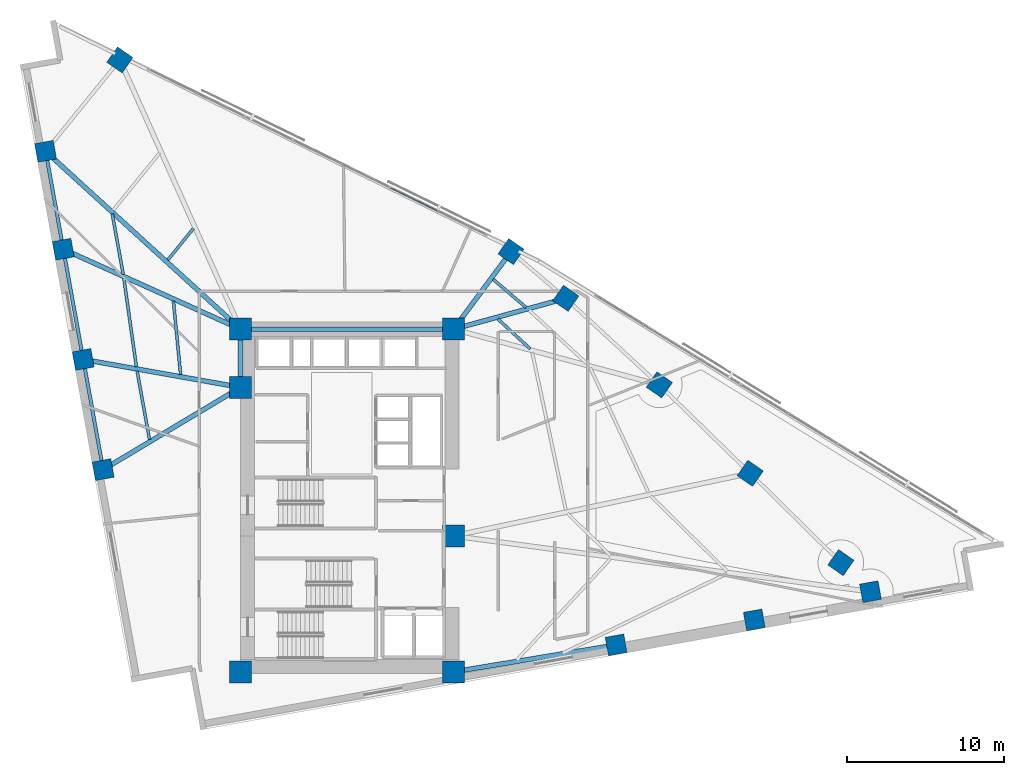
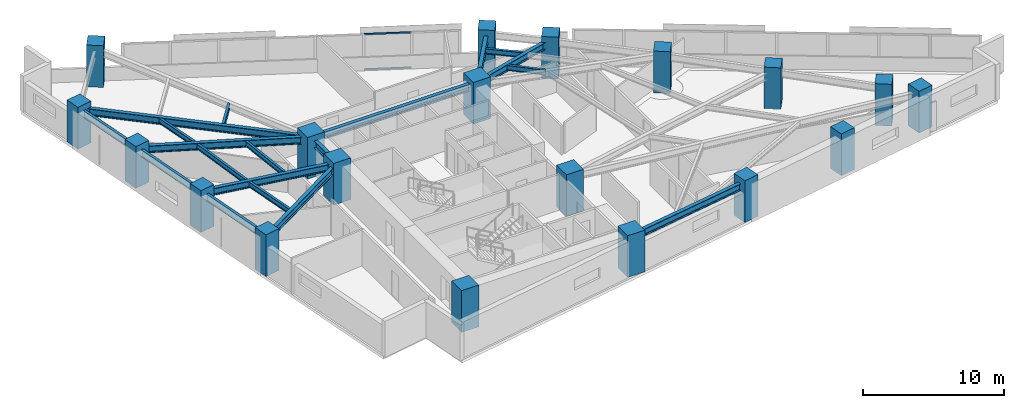
# One storey, part 1 of 20: 19 beams, 19 columns, 2 members, 1 element without a shape of its own.
"""IFC4 building model written with IfcOpenShell, lengths in metres."""

from ifc_helpers import new_model, si_unit, direction, frame, origin, origin_2d, place, context, subcontext, project, spatial, rectangle, hollow_rectangle, i_section, extrude, material, material_profile, profile_set, type_object, element, aggregate, save


model = new_model("IFC4")

# Units and contexts
model_context = context("Model", 3, precision=1e-05, world=origin(), true_north=direction((0.0, 1.0)))
body_context = subcontext(model_context, "Body", "Model", "MODEL_VIEW")
ifc_project = project(units=[si_unit("LENGTHUNIT", "METRE"), si_unit("AREAUNIT", "SQUARE_METRE"), si_unit("VOLUMEUNIT", "CUBIC_METRE"), si_unit("PLANEANGLEUNIT", "RADIAN"), si_unit("MASSUNIT", "GRAM", prefix="KILO")], contexts=[model_context])

# Site, building, storey
site_placement = place(None, origin())
site = spatial("IfcSite", under=ifc_project, at=site_placement, CompositionType="ELEMENT")
building_placement = place(site_placement, origin())
building = spatial("IfcBuilding", under=site, at=building_placement, Name="Narakoshi Arena Tower", CompositionType="ELEMENT")
storey_placement = place(building_placement, frame((0.0, 0.0, 124.5)))
storey = spatial("IfcBuildingStorey", under=building, at=storey_placement, Name="L33", CompositionType="ELEMENT", Elevation=124.5)

# Columns
ifc_material_1 = material(Name="Concrete C60/75", Category="concrete")
ifc_material_profile_1 = material_profile(ifc_material_1, rectangle(XDim=1.199951171875, YDim=1.199951171875, at=origin_2d()), Name="RC1200x1200")
ifc_profile_set_1 = profile_set([ifc_material_profile_1], Name="Concrete C60/75")
column_type_1 = type_object("IfcColumnType", Name="COL-RC1200", PredefinedType="COLUMN", material=ifc_profile_set_1)
for number, where, z_axis, x_axis, name in (
    (1, (95.89013671875, 36.411865234375, 0.0), (0.0, 0.0, 1.0), (0.984040697646, 0.177943545474, 0.0), "L33 Tower Perimeter Column TC02"),
    (2, (104.681396484375, 38.00146484375, 0.0), (0.0, 0.0, 1.0), (0.984040697646, 0.177943545474, 0.0), "L33 Tower Perimeter Column TC03"),
    (3, (112.0703125, 39.7978515625, 0.0), (0.0, 0.0, 1.0), (0.984040697646, 0.177943545474, 0.0), "L33 Tower Perimeter Column TC04"),
    (4, (110.189208984375, 41.650146484375, 0.0), (0.0, 0.0, 1.0), (0.569996762596, 0.821646937942, 0.0), "L33 Tower Perimeter Column TC05"),
    (5, (104.42041015625, 47.33056640625, 0.0), (0.0, 0.0, 1.0), (0.569996762596, 0.821646937942, 0.0), "L33 Tower Perimeter Column TC06"),
    (6, (98.641357421875, 52.95849609375, 0.0), (0.0, 0.0, 1.0), (0.569996762596, 0.821646937942, 0.0), "L33 Tower Perimeter Column TC07"),
    (7, (92.68994140625, 58.462890625, 0.0), (0.0, 0.0, 1.0), (0.569996762596, 0.821646937942, 0.0), "L33 Tower Perimeter Column TC08"),
    (8, (89.206787109375, 61.437744140625, 0.0), (0.0, 0.0, 1.0), (0.569996762596, 0.821646937942, 0.0), "L33 Tower Perimeter Column TC09"),
    (9, (64.31787109375, 73.633056640625, 0.0), (0.0, 0.0, 1.0), (0.569996762596, 0.821646937942, 0.0), "L33 Tower Perimeter Column TC11"),
    (10, (59.593505859375, 67.81591796875, 0.0), (0.0, 0.0, 1.0), (-0.177943545474, 0.984040697646, 0.0), "L33 Tower Perimeter Column TC13"),
    (11, (60.72021484375, 61.585205078125, 0.0), (0.0, 0.0, 1.0), (-0.177943545474, 0.984040697646, 0.0), "L33 Tower Perimeter Column TC14"),
    (12, (61.98779296875, 54.575439453125, 0.0), (0.0, 0.0, 1.0), (-0.177943545474, 0.984040697646, 0.0), "L33 Tower Perimeter Column TC15"),
    (13, (63.25537109375, 47.56591796875, 0.0), (0.0, 0.0, 1.0), (-0.177943545474, 0.984040697646, 0.0), "L33 Tower Perimeter Column TC16"),
):
    element("IfcColumn", number, at=place(storey_placement, frame(where, z_axis=z_axis, x_axis=x_axis)), inside=storey, type_object=column_type_1, Name=name, PredefinedType="COLUMN", context=body_context, shape_type="SweptSolid", body=[
        extrude(rectangle(XDim=1.199951171875, YDim=1.199951171875, at=origin_2d()), origin(), (0.0, 0.0, 1.0), 3.60009765625),
    ])
ifc_material_profile_2 = material_profile(ifc_material_1, rectangle(XDim=1.39990234375, YDim=1.39990234375, at=origin_2d()), Name="RC1400x1400")
ifc_profile_set_2 = profile_set([ifc_material_profile_2], Name="Concrete C60/75")
column_type_2 = type_object("IfcColumnType", Name="COL-RC1400", PredefinedType="COLUMN", material=ifc_profile_set_2)
for number, where, z_axis, x_axis, name in (
    (14, (72.0, 34.699951171875, 0.0), (0.0, 0.0, 1.0), (1.0, 0.0, 0.0), "L33 Core Structural Column CC1"),
    (15, (85.550048828125, 34.699951171875, 0.0), (0.0, 0.0, 1.0), (1.0, 0.0, 0.0), "L33 Core Structural Column CC2"),
    (16, (85.550048828125, 43.35009765625, 0.0), (0.0, 0.0, 1.0), (1.0, 0.0, 0.0), "L33 Core Structural Column CC3"),
    (17, (72.0, 52.800048828125, 0.0), (0.0, 0.0, 1.0), (1.0, 0.0, 0.0), "L33 Core Structural Column CC4"),
    (18, (72.0, 56.5, 0.0), (0.0, 0.0, 1.0), (1.0, 0.0, 0.0), "L33 Core Structural Column CC5"),
    (19, (85.550048828125, 56.5, 0.0), (0.0, 0.0, 1.0), (1.0, 0.0, 0.0), "L33 Core Structural Column CC6"),
):
    element("IfcColumn", number, at=place(storey_placement, frame(where, z_axis=z_axis, x_axis=x_axis)), inside=storey, type_object=column_type_2, Name=name, PredefinedType="COLUMN", context=body_context, shape_type="SweptSolid", body=[
        extrude(rectangle(XDim=1.39990234375, YDim=1.39990234375, at=origin_2d()), origin(), (0.0, 0.0, 1.0), 3.60009765625),
    ])

# Beams
ifc_material_2 = material(Name="Structural steel S355J2", Category="steel")
ifc_material_profile_3 = material_profile(ifc_material_2, i_section(OverallWidth=0.219970703125, OverallDepth=0.60009765625, WebThickness=0.011962890625, FlangeThickness=0.01904296875, FilletRadius=0.02392578125, at=origin_2d()), Name="IPE600")
ifc_profile_set_3 = profile_set([ifc_material_profile_3], Name="Structural steel S355J2")
beam_type_1 = type_object("IfcBeamType", Name="BM-EDGE-600", PredefinedType="BEAM", material=ifc_profile_set_3)
beam_1_placement = place(storey_placement, frame((59.593505859375, 67.81591796875, 2.800048828125), z_axis=(0.177945465207, -0.9840403505, 0.0), x_axis=(0.9840403505, 0.177945465207, 0.0)))
element("IfcBeam", 20, at=beam_1_placement, inside=storey, type_object=beam_type_1, Name="L33 Perimeter Edge Girder 10", PredefinedType="BEAM", context=body_context, shape_type="SweptSolid", body=[
    extrude(i_section(OverallWidth=0.219970703125, OverallDepth=0.60009765625, WebThickness=0.011962890625, FlangeThickness=0.01904296875, FilletRadius=0.02392578125, at=origin_2d()), origin(), (0.0, 0.0, 1.0), 6.331787109375),
])
beam_2_placement = place(storey_placement, frame((60.72021484375, 61.585205078125, 2.800048828125), z_axis=(0.177944362466, -0.98404054991, 0.0), x_axis=(0.98404054991, 0.177944362466, 0.0)))
element("IfcBeam", 21, at=beam_2_placement, inside=storey, type_object=beam_type_1, Name="L33 Perimeter Edge Girder 11", PredefinedType="BEAM", context=body_context, shape_type="SweptSolid", body=[
    extrude(i_section(OverallWidth=0.219970703125, OverallDepth=0.60009765625, WebThickness=0.011962890625, FlangeThickness=0.01904296875, FilletRadius=0.02392578125, at=origin_2d()), origin(), (0.0, 0.0, 1.0), 7.12353515625),
])
beam_3_placement = place(storey_placement, frame((61.98779296875, 54.575439453125, 2.800048828125), z_axis=(0.177950363985, -0.984039464634, 0.0), x_axis=(0.984039464634, 0.177950363985, 0.0)))
element("IfcBeam", 22, at=beam_3_placement, inside=storey, type_object=beam_type_1, Name="L33 Perimeter Edge Girder 12", PredefinedType="BEAM", context=body_context, shape_type="SweptSolid", body=[
    extrude(i_section(OverallWidth=0.219970703125, OverallDepth=0.60009765625, WebThickness=0.011962890625, FlangeThickness=0.01904296875, FilletRadius=0.02392578125, at=origin_2d()), origin(), (0.0, 0.0, 1.0), 7.123291015625),
])
ifc_material_profile_4 = material_profile(ifc_material_2, i_section(OverallWidth=0.300048828125, OverallDepth=0.60009765625, WebThickness=0.015380859375, FlangeThickness=0.030029296875, FilletRadius=0.027099609375, at=origin_2d()), Name="HE600B")
ifc_profile_set_4 = profile_set([ifc_material_profile_4], Name="Structural steel S355J2")
beam_type_2 = type_object("IfcBeamType", Name="BM-PRI-600", PredefinedType="BEAM", material=ifc_profile_set_4)
beam_4_placement = place(storey_placement, frame((85.550048828125, 34.699951171875, 2.800048828125), z_axis=(0.986570261116, 0.163337441762, 0.0), x_axis=(-0.163337441762, 0.986570261116, 0.0)))
element("IfcBeam", 23, at=beam_4_placement, inside=storey, type_object=beam_type_2, Name="L33 Radial Primary Floor Girder 01", PredefinedType="BEAM", context=body_context, shape_type="SweptSolid", body=[
    extrude(i_section(OverallWidth=0.300048828125, OverallDepth=0.60009765625, WebThickness=0.015380859375, FlangeThickness=0.030029296875, FilletRadius=0.027099609375, at=origin_2d()), origin(), (0.0, 0.0, 1.0), 10.48095703125),
])
beam_5_placement = place(storey_placement, frame((85.550048828125, 56.5, 2.800048828125), z_axis=(0.964225409977, 0.265083682551, 0.0), x_axis=(-0.265083682551, 0.964225409977, 0.0)))
element("IfcBeam", 24, at=beam_5_placement, inside=storey, type_object=beam_type_2, Name="L33 Radial Primary Floor Girder 07", PredefinedType="BEAM", context=body_context, shape_type="SweptSolid", body=[
    extrude(i_section(OverallWidth=0.300048828125, OverallDepth=0.60009765625, WebThickness=0.015380859375, FlangeThickness=0.030029296875, FilletRadius=0.027099609375, at=origin_2d()), origin(), (0.0, 0.0, 1.0), 7.40478515625),
])
beam_6_placement = place(storey_placement, frame((85.550048828125, 56.5, 2.800048828125), z_axis=(0.595138224279, 0.803623353321, 0.0), x_axis=(-0.803623353321, 0.595138224279, 0.0)))
element("IfcBeam", 25, at=beam_6_placement, inside=storey, type_object=beam_type_2, Name="L33 Radial Primary Floor Girder 08", PredefinedType="BEAM", context=body_context, shape_type="SweptSolid", body=[
    extrude(i_section(OverallWidth=0.300048828125, OverallDepth=0.60009765625, WebThickness=0.015380859375, FlangeThickness=0.030029296875, FilletRadius=0.027099609375, at=origin_2d()), origin(), (0.0, 0.0, 1.0), 6.144287109375),
])
beam_7_placement = place(storey_placement, frame((72.0, 56.5, 2.800048828125), z_axis=(-0.738833839277, 0.673887644893, 0.0), x_axis=(-0.673887644893, -0.738833839277, 0.0)))
element("IfcBeam", 26, at=beam_7_placement, inside=storey, type_object=beam_type_2, Name="L33 Radial Primary Floor Girder 10", PredefinedType="BEAM", context=body_context, shape_type="SweptSolid", body=[
    extrude(i_section(OverallWidth=0.300048828125, OverallDepth=0.60009765625, WebThickness=0.015380859375, FlangeThickness=0.030029296875, FilletRadius=0.027099609375, at=origin_2d()), origin(), (0.0, 0.0, 1.0), 16.7919921875),
])
beam_8_placement = place(storey_placement, frame((72.0, 56.5, 2.800048828125), z_axis=(-0.911639961566, 0.410989757142, 0.0), x_axis=(-0.410989757142, -0.911639961566, 0.0)))
element("IfcBeam", 27, at=beam_8_placement, inside=storey, type_object=beam_type_2, Name="L33 Radial Primary Floor Girder 11", PredefinedType="BEAM", context=body_context, shape_type="SweptSolid", body=[
    extrude(i_section(OverallWidth=0.300048828125, OverallDepth=0.60009765625, WebThickness=0.015380859375, FlangeThickness=0.030029296875, FilletRadius=0.027099609375, at=origin_2d()), origin(), (0.0, 0.0, 1.0), 12.373046875),
])
beam_9_placement = place(storey_placement, frame((72.0, 52.800048828125, 2.800048828125), z_axis=(-0.984639647685, 0.174598866568, 0.0), x_axis=(-0.174598866568, -0.984639647685, 0.0)))
element("IfcBeam", 28, at=beam_9_placement, inside=storey, type_object=beam_type_2, Name="L33 Radial Primary Floor Girder 12", PredefinedType="BEAM", context=body_context, shape_type="SweptSolid", body=[
    extrude(i_section(OverallWidth=0.300048828125, OverallDepth=0.60009765625, WebThickness=0.015380859375, FlangeThickness=0.030029296875, FilletRadius=0.027099609375, at=origin_2d()), origin(), (0.0, 0.0, 1.0), 10.16845703125),
])
beam_10_placement = place(storey_placement, frame((72.0, 52.800048828125, 2.800048828125), z_axis=(-0.858039895053, -0.513583039534, 0.0), x_axis=(0.513583039534, -0.858039895053, 0.0)))
element("IfcBeam", 29, at=beam_10_placement, inside=storey, type_object=beam_type_2, Name="L33 Radial Primary Floor Girder 13", PredefinedType="BEAM", context=body_context, shape_type="SweptSolid", body=[
    extrude(i_section(OverallWidth=0.300048828125, OverallDepth=0.60009765625, WebThickness=0.015380859375, FlangeThickness=0.030029296875, FilletRadius=0.027099609375, at=origin_2d()), origin(), (0.0, 0.0, 1.0), 10.19140625),
])
beam_11_placement = place(storey_placement, frame((72.0, 52.800048828125, 2.800048828125), z_axis=(0.0, 1.0, 0.0), x_axis=(-1.0, 0.0, 0.0)))
element("IfcBeam", 30, at=beam_11_placement, inside=storey, type_object=beam_type_2, Name="L33 Core Perimeter Frame Beam CC4-CC5", PredefinedType="BEAM", context=body_context, shape_type="SweptSolid", body=[
    extrude(i_section(OverallWidth=0.300048828125, OverallDepth=0.60009765625, WebThickness=0.015380859375, FlangeThickness=0.030029296875, FilletRadius=0.027099609375, at=origin_2d()), origin(), (0.0, 0.0, 1.0), 3.699951171875),
])
beam_12_placement = place(storey_placement, frame((72.0, 56.5, 2.800048828125), z_axis=(1.0, 0.0, 0.0), x_axis=(0.0, 1.0, 0.0)))
element("IfcBeam", 31, at=beam_12_placement, inside=storey, type_object=beam_type_2, Name="L33 Core Perimeter Frame Beam CC5-CC6", PredefinedType="BEAM", context=body_context, shape_type="SweptSolid", body=[
    extrude(i_section(OverallWidth=0.300048828125, OverallDepth=0.60009765625, WebThickness=0.015380859375, FlangeThickness=0.030029296875, FilletRadius=0.027099609375, at=origin_2d()), origin(), (0.0, 0.0, 1.0), 13.550048828125),
])
ifc_material_profile_5 = material_profile(ifc_material_2, i_section(OverallWidth=0.18994140625, OverallDepth=0.449951171875, WebThickness=0.009521484375, FlangeThickness=0.0146484375, FilletRadius=0.02099609375, at=origin_2d()), Name="IPE450")
ifc_profile_set_5 = profile_set([ifc_material_profile_5], Name="Structural steel S355J2")
beam_type_3 = type_object("IfcBeamType", Name="BM-SEC-450", PredefinedType="JOIST", material=ifc_profile_set_5)
beam_13_placement = place(storey_placement, frame((90.425537109375, 55.245849609375, 2.875), z_axis=(-0.734107017301, 0.679033789402, 0.0), x_axis=(-0.679033789402, -0.734107017301, 0.0)))
element("IfcBeam", 32, at=beam_13_placement, inside=storey, type_object=beam_type_3, Name="L33 Composite Secondary Floor Joist 07", PredefinedType="JOIST", context=body_context, shape_type="SweptSolid", body=[
    extrude(i_section(OverallWidth=0.18994140625, OverallDepth=0.449951171875, WebThickness=0.009521484375, FlangeThickness=0.0146484375, FilletRadius=0.02099609375, at=origin_2d()), origin(), (0.0, 0.0, 1.0), 2.810546875),
])
beam_14_placement = place(storey_placement, frame((90.15966796875, 57.88330078125, 2.875), z_axis=(-0.760394661797, 0.649461283149, 0.0), x_axis=(-0.649461283149, -0.760394661797, 0.0)))
element("IfcBeam", 33, at=beam_14_placement, inside=storey, type_object=beam_type_3, Name="L33 Composite Secondary Floor Joist 09", PredefinedType="JOIST", context=body_context, shape_type="SweptSolid", body=[
    extrude(i_section(OverallWidth=0.18994140625, OverallDepth=0.449951171875, WebThickness=0.009521484375, FlangeThickness=0.0146484375, FilletRadius=0.02099609375, at=origin_2d()), origin(), (0.0, 0.0, 1.0), 2.753173828125),
])
beam_15_placement = place(storey_placement, frame((68.99560546875, 62.90576171875, 2.875), z_axis=(-0.630407193219, -0.776264626746, 0.0), x_axis=(0.776264626746, -0.630407193219, 0.0)))
element("IfcBeam", 34, at=beam_15_placement, inside=storey, type_object=beam_type_3, Name="L33 Composite Secondary Floor Joist 10", PredefinedType="JOIST", context=body_context, shape_type="SweptSolid", body=[
    extrude(i_section(OverallWidth=0.18994140625, OverallDepth=0.449951171875, WebThickness=0.009521484375, FlangeThickness=0.0146484375, FilletRadius=0.02099609375, at=origin_2d()), origin(), (0.0, 0.0, 1.0), 2.57763671875),
])
beam_16_placement = place(storey_placement, frame((63.835693359375, 63.835693359375, 2.875), z_axis=(0.177934538445, -0.98404232634, 0.0), x_axis=(0.98404232634, 0.177934538445, 0.0)))
element("IfcBeam", 35, at=beam_16_placement, inside=storey, type_object=beam_type_3, Name="L33 Composite Secondary Floor Joist 12", PredefinedType="JOIST", context=body_context, shape_type="SweptSolid", body=[
    extrude(i_section(OverallWidth=0.18994140625, OverallDepth=0.449951171875, WebThickness=0.009521484375, FlangeThickness=0.0146484375, FilletRadius=0.02099609375, at=origin_2d()), origin(), (0.0, 0.0, 1.0), 3.9091796875),
])
beam_17_placement = place(storey_placement, frame((67.726806640625, 58.298095703125, 2.875), z_axis=(0.09670180162, -0.995313398666, 0.0), x_axis=(0.995313398666, 0.09670180162, 0.0)))
element("IfcBeam", 36, at=beam_17_placement, inside=storey, type_object=beam_type_3, Name="L33 Composite Secondary Floor Joist 13", PredefinedType="JOIST", context=body_context, shape_type="SweptSolid", body=[
    extrude(i_section(OverallWidth=0.18994140625, OverallDepth=0.449951171875, WebThickness=0.009521484375, FlangeThickness=0.0146484375, FilletRadius=0.02099609375, at=origin_2d()), origin(), (0.0, 0.0, 1.0), 4.7109375),
])
beam_18_placement = place(storey_placement, frame((64.57421875, 59.722412109375, 2.875), z_axis=(0.140758627252, -0.99004394289, 0.0), x_axis=(0.99004394289, 0.140758627252, 0.0)))
element("IfcBeam", 37, at=beam_18_placement, inside=storey, type_object=beam_type_3, Name="L33 Composite Secondary Floor Joist 14", PredefinedType="JOIST", context=body_context, shape_type="SweptSolid", body=[
    extrude(i_section(OverallWidth=0.18994140625, OverallDepth=0.449951171875, WebThickness=0.009521484375, FlangeThickness=0.0146484375, FilletRadius=0.02099609375, at=origin_2d()), origin(), (0.0, 0.0, 1.0), 5.67333984375),
])
beam_19_placement = place(storey_placement, frame((65.416015625, 53.839111328125, 2.875), z_axis=(0.177944838114, -0.984040463898, 0.0), x_axis=(0.984040463898, 0.177944838114, 0.0)))
element("IfcBeam", 38, at=beam_19_placement, inside=storey, type_object=beam_type_3, Name="L33 Composite Secondary Floor Joist 15", PredefinedType="JOIST", context=body_context, shape_type="SweptSolid", body=[
    extrude(i_section(OverallWidth=0.18994140625, OverallDepth=0.449951171875, WebThickness=0.009521484375, FlangeThickness=0.0146484375, FilletRadius=0.02099609375, at=origin_2d()), origin(), (0.0, 0.0, 1.0), 4.431640625),
])

# Curtain wall, members
ifc_material_3 = material(Name="Anodised bronze aluminium 6063-T6", Category="aluminium")
curtain_wall_type = type_object("IfcCurtainWallType", Name="CW-HYP-LOW", PredefinedType="NOTDEFINED", material=ifc_material_3)
curtain_wall_placement = place(storey_placement, origin())
curtain_wall = element("IfcCurtainWall", 39, at=curtain_wall_placement, inside=storey, type_object=curtain_wall_type, Name="L33 Folded Hypotenuse Curtain Wall 2-1", PredefinedType="NOTDEFINED")
ifc_material_profile_6 = material_profile(ifc_material_3, hollow_rectangle(XDim=0.06494140625, YDim=0.1298828125, WallThickness=0.00390625, OuterFilletRadius=0.0048828125, at=origin_2d()), Name="TRN130x65x4")
ifc_profile_set_6 = profile_set([ifc_material_profile_6], Name="Anodised bronze aluminium 6063-T6")
member_type = type_object("IfcMemberType", Name="MEM-TRN-130", PredefinedType="USERDEFINED", material=ifc_profile_set_6)
member_1_placement = place(storey_placement, frame((84.525634765625, 64.02099609375, 0.032470703125), z_axis=(-0.897986843255, 0.440022305503, 0.0), x_axis=(-0.440022305503, -0.897986843255, 0.0)))
member_1 = element("IfcMember", 40, at=member_1_placement, type_object=member_type, Name="CW-01 transom 2.1", ObjectType="TRANSOM", PredefinedType="USERDEFINED", context=body_context, shape_type="SweptSolid", body=[
    extrude(hollow_rectangle(XDim=0.06494140625, YDim=0.1298828125, WallThickness=0.00390625, OuterFilletRadius=0.0048828125, at=origin_2d()), origin(), (0.0, 0.0, 1.0), 3.347412109375),
])
member_2_placement = place(storey_placement, frame((84.525634765625, 64.02099609375, 3.0673828125), z_axis=(-0.897986843255, 0.440022305503, 0.0), x_axis=(-0.440022305503, -0.897986843255, 0.0)))
member_2 = element("IfcMember", 41, at=member_2_placement, type_object=member_type, Name="CW-01 transom 2.2", ObjectType="TRANSOM", PredefinedType="USERDEFINED", context=body_context, shape_type="SweptSolid", body=[
    extrude(hollow_rectangle(XDim=0.06494140625, YDim=0.1298828125, WallThickness=0.00390625, OuterFilletRadius=0.0048828125, at=origin_2d()), origin(), (0.0, 0.0, 1.0), 3.347412109375),
])
aggregate(curtain_wall, [member_1, member_2])

save(model, "model.ifc")
